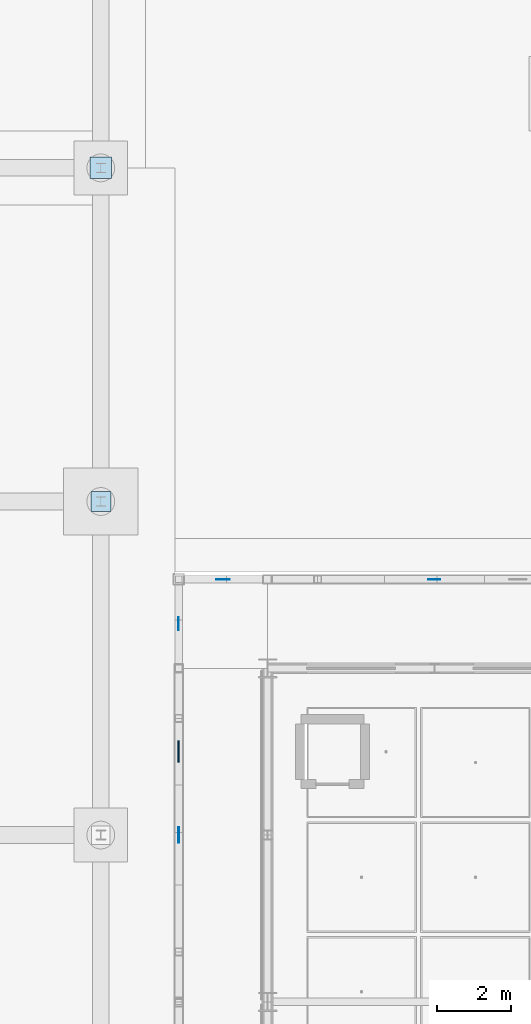
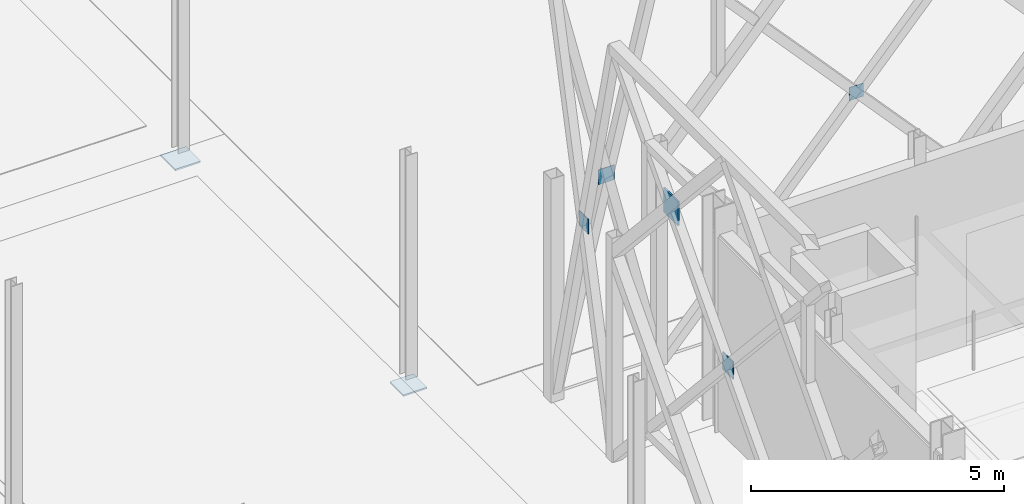
# One storey, part 80 of 180: 7 plates.
"""IFC4 building model written with IfcOpenShell, lengths in metres."""

import ifcopenshell
import ifcopenshell.guid

model = None  # the IFC model being written
_history = None  # IfcOwnerHistory: only IFC2X3 demands one
_inside = {}  # id of a spatial element -> (the spatial element, [elements in it])
_under = {}  # id of a project, library or spatial element -> (it, [spatial elements below it])
_declared = {}  # id of a project -> (the project, [libraries it declares])
_typed = {}  # id of a type object -> (the type object, [elements of that type])
_made_of = {}  # id of a material, layer set ... -> (it, [elements and type objects made of it])


def new_model(schema):
    """Start an empty IFC model of exactly this schema.

    Asked for "IFC4X3", IfcOpenShell would pick the latest addendum, in which some entities
    have other attributes; the version numbers below select the first issue.
    IFC2X3 requires an IfcOwnerHistory on every rooted entity: one is made here for all.
    """
    global model, _history
    if schema == "IFC4X3":
        model = ifcopenshell.file(schema_version=(4, 3, 0, 0))
    else:
        model = ifcopenshell.file(schema=schema)
    _inside.clear()
    _under.clear()
    _declared.clear()
    _typed.clear()
    _made_of.clear()
    _history = None
    if model.schema == "IFC2X3":
        org = make("IfcOrganization", Name="unknown")
        user = make(
            "IfcPersonAndOrganization",
            ThePerson=make("IfcPerson", FamilyName="unknown"),
            TheOrganization=org,
        )
        app = make(
            "IfcApplication",
            ApplicationDeveloper=org,
            Version="unknown",
            ApplicationFullName="unknown",
            ApplicationIdentifier="unknown",
        )
        _history = make(
            "IfcOwnerHistory",
            OwningUser=user,
            OwningApplication=app,
            ChangeAction="ADDED",
            CreationDate=0,
        )
    return model


def make(cls, **values):
    """One entity of the class cls with the attributes given. An attribute that is None is left unset."""
    return model.create_entity(
        cls, **{name: value for name, value in values.items() if value is not None}
    )


def rooted(cls, **values):
    """An entity with a GlobalId (a new one), such as an element, a storey or a relation."""
    return make(cls, GlobalId=ifcopenshell.guid.new(), OwnerHistory=_history, **values)


def si_unit(unit_type, name, prefix=None):
    """IfcSIUnit, for example si_unit("LENGTHUNIT", "METRE", prefix="MILLI")."""
    return make("IfcSIUnit", UnitType=unit_type, Prefix=prefix, Name=name)


def assignment(units):
    """IfcUnitAssignment: the units of a project."""
    return None if units is None else make("IfcUnitAssignment", Units=units)


def point(xyz):
    """IfcCartesianPoint."""
    return None if xyz is None else make("IfcCartesianPoint", Coordinates=xyz)


def direction(xyz):
    """IfcDirection."""
    return None if xyz is None else make("IfcDirection", DirectionRatios=xyz)


def frame(location, z_axis=None, x_axis=None):
    """IfcAxis2Placement3D, a coordinate frame: its origin and axes. An axis left out is left unset."""
    return make(
        "IfcAxis2Placement3D",
        Location=point(location),
        Axis=direction(z_axis),
        RefDirection=direction(x_axis),
    )


def frame_2d(location, x_axis=None):
    """IfcAxis2Placement2D, a coordinate frame in the plane: its origin and x axis."""
    return make(
        "IfcAxis2Placement2D", Location=point(location), RefDirection=direction(x_axis)
    )


def origin():
    """The frame at (0, 0, 0) with its axes left unset."""
    return frame((0.0, 0.0, 0.0))


def origin_2d():
    """The frame at (0, 0) in the plane with its x axis left unset."""
    return frame_2d((0.0, 0.0))


def place(relative_to, where):
    """IfcLocalPlacement: puts the frame where relative to a parent placement (None: the world)."""
    return make(
        "IfcLocalPlacement", PlacementRelTo=relative_to, RelativePlacement=where
    )


def context(
    kind, dimensions, precision=None, world=None, true_north=None, identifier=None
):
    """IfcGeometricRepresentationContext, for example the 3D "Model" context."""
    return make(
        "IfcGeometricRepresentationContext",
        ContextIdentifier=identifier,
        ContextType=kind,
        CoordinateSpaceDimension=dimensions,
        Precision=precision,
        WorldCoordinateSystem=world,
        TrueNorth=true_north,
    )


def subcontext(parent, identifier, kind, view, scale=None):
    """IfcGeometricRepresentationSubContext, for example "Body" below "Model"."""
    return make(
        "IfcGeometricRepresentationSubContext",
        ContextIdentifier=identifier,
        ContextType=kind,
        ParentContext=parent,
        TargetScale=scale,
        TargetView=view,
    )


def project(units=None, contexts=None):
    """IfcProject with its units and contexts."""
    return rooted(
        "IfcProject",
        Name="project",
        RepresentationContexts=contexts,
        UnitsInContext=assignment(units),
    )


def spatial(cls, under=None, at=None, **own):
    """A site, building, storey or space (cls), placed at a placement, below another one or the project."""
    s = rooted(cls, ObjectPlacement=at, **own)
    if under is not None:
        _under.setdefault(under.id(), (under, []))[1].append(s)
    return s


def profile(cls, at=None, kind="AREA", **sizes):
    """A parametric profile (cls). Its sizes go by their IFC names, for example OverallWidth=200.0."""
    return make(cls, ProfileType=kind, Position=at, **sizes)


def rectangle(**sizes):
    """IfcRectangleProfileDef."""
    return profile("IfcRectangleProfileDef", **sizes)


def extrude(swept, where, along, depth):
    """IfcExtrudedAreaSolid: the profile swept, set in the frame where, extruded along a direction by depth."""
    return make(
        "IfcExtrudedAreaSolid",
        SweptArea=swept,
        Position=where,
        ExtrudedDirection=direction(along),
        Depth=depth,
    )


def shape(context_of_items, identifier, shape_type, items):
    """IfcShapeRepresentation: the items that make up one representation, for example the "Body"."""
    return make(
        "IfcShapeRepresentation",
        ContextOfItems=context_of_items,
        RepresentationIdentifier=identifier,
        RepresentationType=shape_type,
        Items=items,
    )


def material(Name=None, Category=None):
    """IfcMaterial."""
    return make("IfcMaterial", Name=Name, Category=Category)


def layer(
    of_material, thickness, ventilated=None, Name=None, Category=None, Priority=None
):
    """IfcMaterialLayer: one layer of a wall or slab, of a material (None: an air gap)."""
    return make(
        "IfcMaterialLayer",
        Material=of_material,
        LayerThickness=thickness,
        IsVentilated=ventilated,
        Name=Name,
        Category=Category,
        Priority=Priority,
    )


def layer_set(layers, Name=None):
    """IfcMaterialLayerSet."""
    return make("IfcMaterialLayerSet", MaterialLayers=layers, LayerSetName=Name)


def made_of(thing, what):
    """Note that an element or type object is made of a material, layer set ...; save() writes the relation."""
    if what is not None:
        _made_of.setdefault(what.id(), (what, []))[1].append(thing)
    return thing


def type_object(cls, material=None, **own):
    """A type object (cls), such as IfcWallType, which elements share."""
    return made_of(rooted(cls, **own), material)


def element(
    cls,
    number,
    at=None,
    inside=None,
    cuts=None,
    type_object=None,
    material=None,
    context=None,
    identifier="Body",
    shape_type=None,
    held_by="IfcProductDefinitionShape",
    body=None,
    shapes=None,
    **own,
):
    """One element of the class cls, such as IfcWall. Its Tag is "e" and its number.

    at: its placement. inside: the storey or other place that contains it. cuts: it is an
    opening in that element (IfcRelVoidsElement). A single representation is given by context,
    identifier, shape_type and body (its items); several are given by shapes. held_by: the class
    of the entity that holds the representations. save() writes the other relations.
    """
    e = rooted(cls, Tag="e%d" % number, ObjectPlacement=at, **own)
    if body is not None:
        shapes = [shape(context, identifier, shape_type, body)]
    if shapes is not None:
        e.Representation = make(held_by, Representations=shapes)
    if inside is not None:
        _inside.setdefault(inside.id(), (inside, []))[1].append(e)
    if cuts is not None:
        rooted(
            "IfcRelVoidsElement", RelatingBuildingElement=cuts, RelatedOpeningElement=e
        )
    if type_object is not None:
        _typed.setdefault(type_object.id(), (type_object, []))[1].append(e)
    return made_of(e, material)


def aggregate(whole, parts):
    """IfcRelAggregates: a whole, such as a stair, and the parts it consists of."""
    return rooted("IfcRelAggregates", RelatingObject=whole, RelatedObjects=parts)


def save(model, path):
    """Write the relations noted so far, then the file.

    IfcRelAggregates (storeys below a building ...), IfcRelContainedInSpatialStructure (elements
    in a storey), IfcRelDefinesByType, IfcRelAssociatesMaterial and IfcRelDeclares: one each for
    every whole, place, type object, material and project.
    """
    for whole, parts in _under.values():
        aggregate(whole, parts)
    for where, things in _inside.values():
        rooted(
            "IfcRelContainedInSpatialStructure",
            RelatedElements=things,
            RelatingStructure=where,
        )
    for kind, things in _typed.values():
        rooted("IfcRelDefinesByType", RelatedObjects=things, RelatingType=kind)
    for what, things in _made_of.values():
        rooted("IfcRelAssociatesMaterial", RelatedObjects=things, RelatingMaterial=what)
    for by, libraries in _declared.values():
        rooted("IfcRelDeclares", RelatingContext=by, RelatedDefinitions=libraries)
    model.write(path)


model = new_model("IFC4")

# Units and contexts
model_context = context("Model", 3, precision=1e-05, world=origin(), true_north=direction((0.0, 1.0)))
body_context = subcontext(model_context, "Body", "Model", "MODEL_VIEW")
ifc_project = project(units=[si_unit("LENGTHUNIT", "METRE"), si_unit("AREAUNIT", "SQUARE_METRE"), si_unit("VOLUMEUNIT", "CUBIC_METRE"), si_unit("PLANEANGLEUNIT", "RADIAN"), si_unit("MASSUNIT", "GRAM", prefix="KILO"), si_unit("THERMODYNAMICTEMPERATUREUNIT", "KELVIN"), si_unit("POWERUNIT", "WATT")], contexts=[model_context])

# Site, building, storey
site_placement = place(None, origin())
site = spatial("IfcSite", under=ifc_project, at=site_placement, CompositionType="ELEMENT")
building_placement = place(site_placement, origin())
building = spatial("IfcBuilding", under=site, at=building_placement, Name="Tallowbark Science Centre", CompositionType="ELEMENT")
storey_placement = place(building_placement, origin())
storey = spatial("IfcBuildingStorey", under=building, at=storey_placement, Name="L00", CompositionType="ELEMENT", Elevation=0.0)

# Plates
ifc_material = material(Name="Structural Steel Grade 300PLUS (300 MPa)", Category="steel")
ifc_layer_1 = layer(ifc_material, 0.011962890625)
ifc_layer_set_1 = layer_set([ifc_layer_1], Name="Structural Steel Grade 300PLUS (300 MPa)")
plate_type_1 = type_object("IfcPlateType", Name="PLT-GUS-12", PredefinedType="SHEET", material=ifc_layer_set_1)
plate_1_placement = place(storey_placement, frame((63.0, 42.89990234375, 4.7900390625), z_axis=(0.0, 0.0, 1.0), x_axis=(1.0, 0.0, 0.0)))
element("IfcPlate", 1, at=plate_1_placement, inside=storey, type_object=plate_type_1, Name="Star X-Brace Crossing Gusset Plate N-2", PredefinedType="SHEET", context=body_context, shape_type="SweptSolid", body=[
    extrude(rectangle(XDim=0.320068359375, YDim=0.011962890625, at=origin_2d()), origin(), (0.0, 0.0, 1.0), 0.320068359375),
])
ifc_layer_2 = layer(ifc_material, 0.01611328125)
ifc_layer_set_2 = layer_set([ifc_layer_2], Name="Structural Steel Grade 300PLUS (300 MPa)")
plate_type_2 = type_object("IfcPlateType", Name="PLT-GUS-16", PredefinedType="SHEET", material=ifc_layer_set_2)
for number, where, z_axis, x_axis, name in (
    (2, (57.300048828125, 42.89990234375, 4.77001953125), (0.0, 0.0, 1.0), (1.0, 0.0, 0.0), "Star Screen Corner X-Brace Gusset NWX-L00"),
    (3, (56.10009765625, 41.699951171875, 4.77001953125), (0.0, 0.0, 1.0), (0.0, 1.0, 0.0), "Star Screen Corner X-Brace Gusset NWY-L00"),
):
    element("IfcPlate", number, at=place(storey_placement, frame(where, z_axis=z_axis, x_axis=x_axis)), inside=storey, type_object=plate_type_2, Name=name, PredefinedType="SHEET", context=body_context, shape_type="SweptSolid", body=[
        extrude(rectangle(XDim=0.360107421875, YDim=0.01611328125, at=origin_2d()), origin(), (0.0, 0.0, 1.0), 0.360107421875),
    ])
ifc_layer_3 = layer(ifc_material, 0.02197265625)
ifc_layer_set_3 = layer_set([ifc_layer_3], Name="Structural Steel Grade 300PLUS (300 MPa)")
plate_type_3 = type_object("IfcPlateType", Name="PLT-GUS-22", PredefinedType="SHEET", material=ifc_layer_set_3)
plate_2_placement = place(storey_placement, frame((56.10009765625, 36.0, 4.739990234375), z_axis=(0.0, 0.0, 1.0), x_axis=(0.0, 1.0, 0.0)))
element("IfcPlate", 4, at=plate_2_placement, inside=storey, type_object=plate_type_3, Name="Star X-Brace Crossing Gusset Plate W-15", PredefinedType="SHEET", context=body_context, shape_type="SweptSolid", body=[
    extrude(rectangle(XDim=0.419921875, YDim=0.02197265625, at=origin_2d()), origin(), (0.0, 0.0, 1.0), 0.419921875),
])
ifc_layer_4 = layer(ifc_material, 0.033935546875)
ifc_layer_set_4 = layer_set([ifc_layer_4], Name="Structural Steel Grade 300PLUS (300 MPa)")
plate_type_4 = type_object("IfcPlateType", Name="PLT-GUS-34", PredefinedType="SHEET", material=ifc_layer_set_4)
plate_3_placement = place(storey_placement, frame((54.0, 45.0, -0.259765625), z_axis=(0.0, 0.0, 1.0), x_axis=(1.0, 0.0, 0.0)))
element("IfcPlate", 5, at=plate_3_placement, inside=storey, type_object=plate_type_4, Name="Column Baseplate PAS-E05", PredefinedType="SHEET", context=body_context, shape_type="SweptSolid", body=[
    extrude(rectangle(XDim=0.5400390625, YDim=0.5400390625, at=origin_2d()), origin(), (0.0, 0.0, 1.0), 0.033935546875),
])
ifc_layer_5 = layer(ifc_material, 0.0380859375)
ifc_layer_set_5 = layer_set([ifc_layer_5], Name="Structural Steel Grade 300PLUS (300 MPa)")
plate_type_5 = type_object("IfcPlateType", Name="PLT-GUS-38", PredefinedType="SHEET", material=ifc_layer_set_5)
plate_4_placement = place(storey_placement, frame((54.0, 54.0, -0.260009765625), z_axis=(0.0, 0.0, 1.0), x_axis=(1.0, 0.0, 0.0)))
element("IfcPlate", 6, at=plate_4_placement, inside=storey, type_object=plate_type_5, Name="Column Baseplate PAS-E06", PredefinedType="SHEET", context=body_context, shape_type="SweptSolid", body=[
    extrude(rectangle(XDim=0.580078125, YDim=0.580078125, at=origin_2d()), origin(), (0.0, 0.0, 1.0), 0.0380859375),
])
plate_5_placement = place(storey_placement, frame((56.10009765625, 38.25, 7.135009765625), z_axis=(0.0, 0.0, 1.0), x_axis=(0.0, 1.0, 0.0)))
element("IfcPlate", 7, at=plate_5_placement, inside=storey, type_object=plate_type_5, Name="Star Primary Chord Crossing Gusset Plate W-15", PredefinedType="SHEET", context=body_context, shape_type="SweptSolid", body=[
    extrude(rectangle(XDim=0.580078125, YDim=0.0380859375, at=origin_2d()), origin(), (0.0, 0.0, 1.0), 0.580078125),
])

save(model, "model.ifc")
